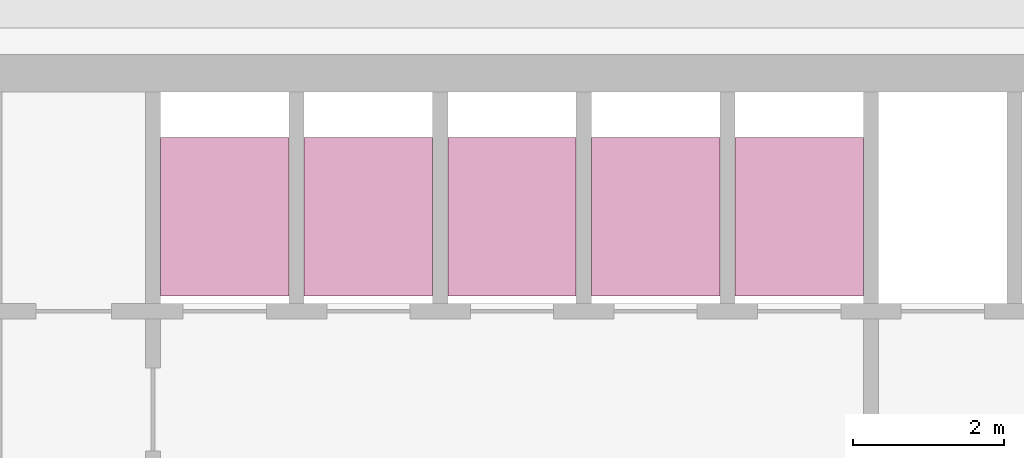
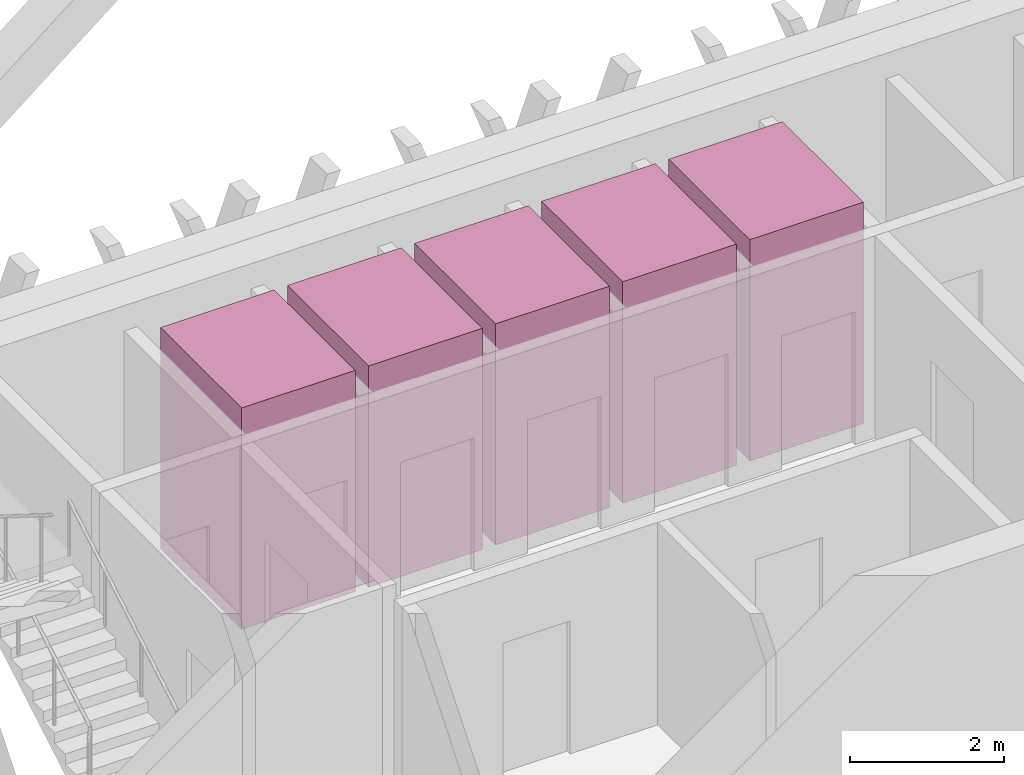
# One storey, part 14 of 14: 5 transport elements.
"""IFC4 building model written with IfcOpenShell, lengths in metres."""

from ifc_helpers import new_model, si_unit, direction, frame, origin, origin_2d, place, context, subcontext, project, spatial, rectangle, extrude, material, type_object, element, save


model = new_model("IFC4")

# Units and contexts
model_context = context("Model", 3, precision=1e-05, world=origin(), true_north=direction((0.0, 1.0)))
body_context = subcontext(model_context, "Body", "Model", "MODEL_VIEW")
ifc_project = project(units=[si_unit("LENGTHUNIT", "METRE"), si_unit("AREAUNIT", "SQUARE_METRE"), si_unit("VOLUMEUNIT", "CUBIC_METRE"), si_unit("PLANEANGLEUNIT", "RADIAN"), si_unit("MASSUNIT", "GRAM", prefix="KILO")], contexts=[model_context])

# Site, building, storey
site_placement = place(None, origin())
site = spatial("IfcSite", under=ifc_project, at=site_placement, CompositionType="ELEMENT")
building_placement = place(site_placement, origin())
building = spatial("IfcBuilding", under=site, at=building_placement, Name="Altiplano Prism Tower", CompositionType="ELEMENT")
storey_placement = place(building_placement, frame((0.0, 0.0, 264.39990234375)))
storey = spatial("IfcBuildingStorey", under=building, at=storey_placement, Name="L68", CompositionType="ELEMENT", Elevation=264.39990234375)

# Transport elements
ifc_material = material(Name="Stainless steel lift car", Category="steel")
transport_element_type = type_object("IfcTransportElementType", Name="Passenger lift car 1600 x 2100", PredefinedType="ELEVATOR", material=ifc_material)
for number, where, z_axis, x_axis, name in (
    (1, (79.050048828125, 101.75, 0.050048828125), (0.0, 0.0, 1.0), (1.0, 0.0, 0.0), "High Zone Passenger Lift 1"),
    (2, (80.949951171875, 101.75, 0.050048828125), (0.0, 0.0, 1.0), (1.0, 0.0, 0.0), "High Zone Passenger Lift 2"),
    (3, (82.85009765625, 101.75, 0.050048828125), (0.0, 0.0, 1.0), (1.0, 0.0, 0.0), "High Zone Passenger Lift 3"),
    (4, (84.75, 101.75, 0.050048828125), (0.0, 0.0, 1.0), (1.0, 0.0, 0.0), "High Zone Passenger Lift 4"),
    (5, (86.64990234375, 101.75, 0.050048828125), (0.0, 0.0, 1.0), (1.0, 0.0, 0.0), "High Zone Passenger Lift 5"),
):
    element("IfcTransportElement", number, at=place(storey_placement, frame(where, z_axis=z_axis, x_axis=x_axis)), inside=storey, type_object=transport_element_type, Name=name, PredefinedType="ELEVATOR", context=body_context, shape_type="SweptSolid", body=[
        extrude(rectangle(XDim=1.699951171875, YDim=2.10009765625, at=origin_2d()), origin(), (0.0, 0.0, 1.0), 3.5),
    ])

save(model, "model.ifc")
